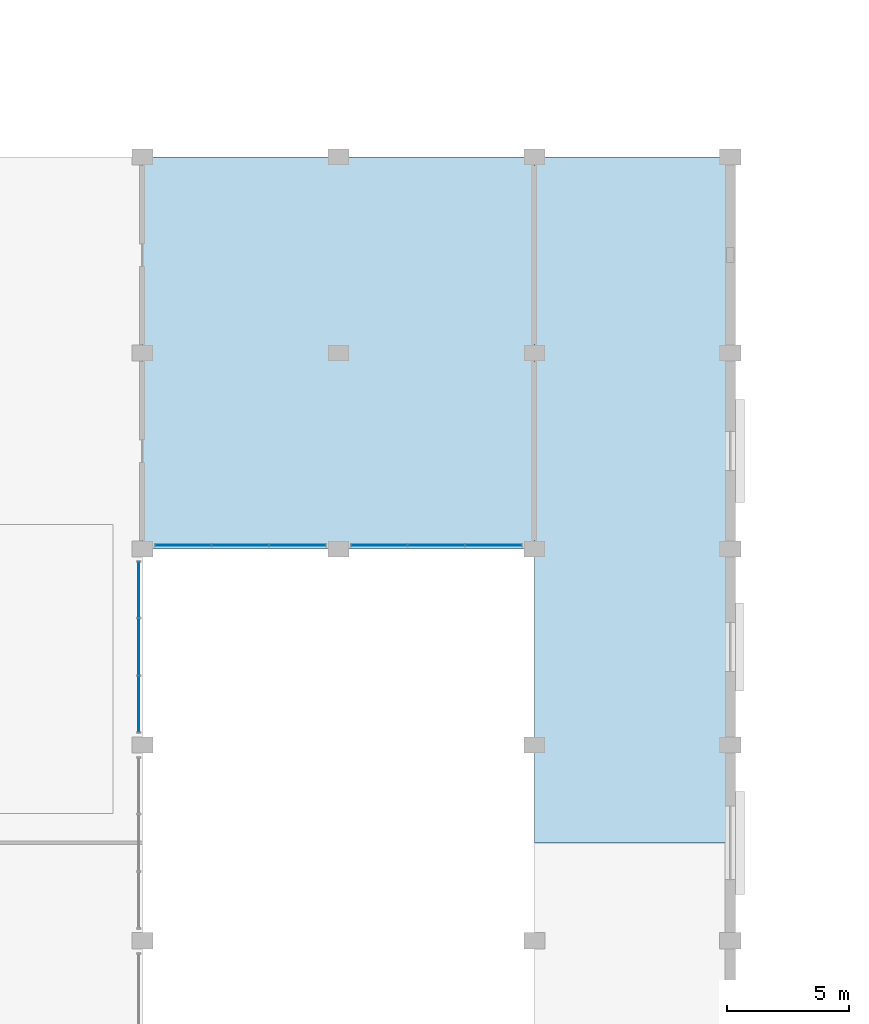
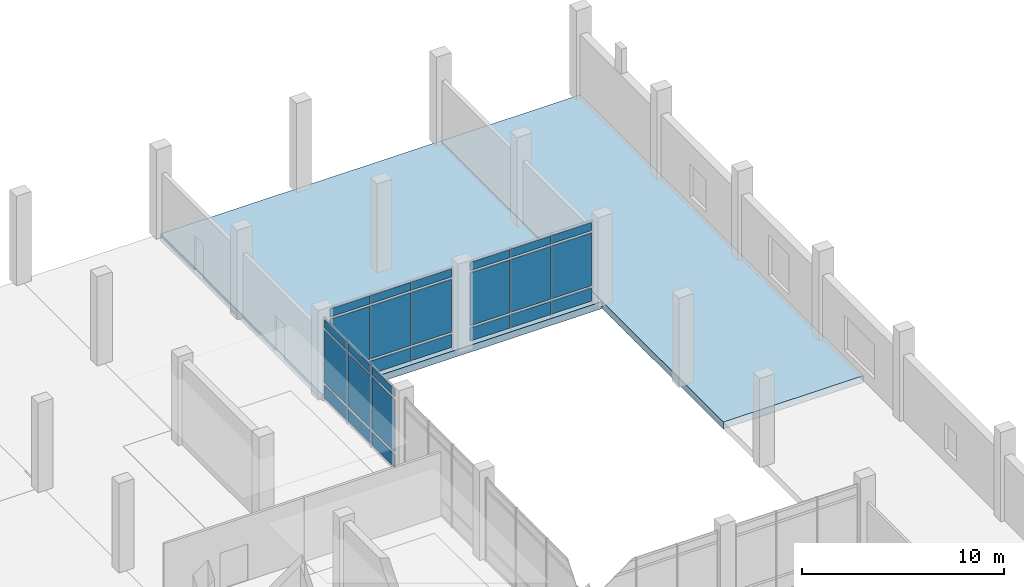
# One storey, part 20 of 42: 27 plates, 2 slabs, 3 elements without a shape of their own.
"""IFC4 building model written with IfcOpenShell, lengths in metres."""

from ifc_helpers import new_model, si_unit, direction, frame, origin, origin_2d, place, context, subcontext, project, spatial, polyline, rectangle, outline, extrude, material, layer, layer_set, type_object, element, aggregate, save


model = new_model("IFC4")

# Units and contexts
model_context = context("Model", 3, precision=1e-05, world=origin(), true_north=direction((0.0, 1.0)))
body_context = subcontext(model_context, "Body", "Model", "MODEL_VIEW")
ifc_project = project(units=[si_unit("LENGTHUNIT", "METRE"), si_unit("AREAUNIT", "SQUARE_METRE"), si_unit("VOLUMEUNIT", "CUBIC_METRE"), si_unit("PLANEANGLEUNIT", "RADIAN"), si_unit("MASSUNIT", "GRAM", prefix="KILO")], contexts=[model_context])

# Site, building, storey
site_placement = place(None, origin())
site = spatial("IfcSite", under=ifc_project, at=site_placement, CompositionType="ELEMENT")
building_placement = place(site_placement, origin())
building = spatial("IfcBuilding", under=site, at=building_placement, Name="Pecanmere Concourse Central Library", CompositionType="ELEMENT")
storey_placement = place(building_placement, origin())
storey = spatial("IfcBuildingStorey", under=building, at=storey_placement, Name="L01", CompositionType="ELEMENT", Elevation=0.0)

# Curtain wall, plates
ifc_material_1 = material(Name="Clear anodized aluminium alloy 6063-T6", Category="aluminium")
curtain_wall_type = type_object("IfcCurtainWallType", Name="CW_CLOISTER_GLAZ", PredefinedType="USERDEFINED", material=ifc_material_1)
curtain_wall_1_placement = place(storey_placement, origin())
curtain_wall_1 = element("IfcCurtainWall", 1, at=curtain_wall_1_placement, inside=storey, type_object=curtain_wall_type, Name="Unitised Curtain Wall CW-04 L01-105", ObjectType="UNITISED CURTAIN WALL", PredefinedType="USERDEFINED")
ifc_material_2 = material(Name="White ceramic-fritted insulated spandrel glazing", Category="glass")
ifc_layer_1 = layer(ifc_material_2, 0.053955078125, Name="CWP_SPN_54")
ifc_layer_set_1 = layer_set([ifc_layer_1], Name="White ceramic-fritted insulated spandrel glazing")
plate_type_1 = type_object("IfcPlateType", Name="CWP_SPN_54", PredefinedType="CURTAIN_PANEL", material=ifc_layer_set_1)
plate_1_placement = place(storey_placement, frame((127.85009765625, 83.668212890625, 0.139892578125), z_axis=(0.0, 0.0, 1.0), x_axis=(0.0, 1.0, 0.0)))
plate_1 = element("IfcPlate", 2, at=plate_1_placement, type_object=plate_type_1, Name="CW-04 Spandrel Panel 1.1", PredefinedType="CURTAIN_PANEL", context=body_context, shape_type="SweptSolid", body=[
    extrude(rectangle(XDim=2.256591796875, YDim=0.035888671875, at=origin_2d()), origin(), (0.0, 0.0, 1.0), 0.7900390625),
])
plate_2_placement = place(storey_placement, frame((127.85009765625, 86.0, 0.139892578125), z_axis=(0.0, 0.0, 1.0), x_axis=(0.0, 1.0, 0.0)))
plate_2 = element("IfcPlate", 3, at=plate_2_placement, type_object=plate_type_1, Name="CW-04 Spandrel Panel 2.1", PredefinedType="CURTAIN_PANEL", context=body_context, shape_type="SweptSolid", body=[
    extrude(rectangle(XDim=2.28662109375, YDim=0.035888671875, at=origin_2d()), origin(), (0.0, 0.0, 1.0), 0.7900390625),
])
plate_3_placement = place(storey_placement, frame((127.85009765625, 88.331787109375, 0.139892578125), z_axis=(0.0, 0.0, 1.0), x_axis=(0.0, 1.0, 0.0)))
plate_3 = element("IfcPlate", 4, at=plate_3_placement, type_object=plate_type_1, Name="CW-04 Spandrel Panel 3.1", PredefinedType="CURTAIN_PANEL", context=body_context, shape_type="SweptSolid", body=[
    extrude(rectangle(XDim=2.256591796875, YDim=0.035888671875, at=origin_2d()), origin(), (0.0, 0.0, 1.0), 0.7900390625),
])

curtain_wall_2_placement = place(storey_placement, origin())
curtain_wall_2 = element("IfcCurtainWall", 5, at=curtain_wall_2_placement, inside=storey, type_object=curtain_wall_type, Name="Unitised Curtain Wall CW-04 L01-108", ObjectType="UNITISED CURTAIN WALL", PredefinedType="USERDEFINED")
plate_4_placement = place(storey_placement, frame((134.331787109375, 90.14990234375, 0.139892578125), z_axis=(0.0, 0.0, 1.0), x_axis=(-1.0, 0.0, 0.0)))
plate_4 = element("IfcPlate", 6, at=plate_4_placement, type_object=plate_type_1, Name="CW-04 Spandrel Panel 1.1", PredefinedType="CURTAIN_PANEL", context=body_context, shape_type="SweptSolid", body=[
    extrude(rectangle(XDim=2.256591796875, YDim=0.035888671875, at=origin_2d()), origin(), (0.0, 0.0, 1.0), 0.7900390625),
])
plate_5_placement = place(storey_placement, frame((132.0, 90.14990234375, 0.139892578125), z_axis=(0.0, 0.0, 1.0), x_axis=(-1.0, 0.0, 0.0)))
plate_5 = element("IfcPlate", 7, at=plate_5_placement, type_object=plate_type_1, Name="CW-04 Spandrel Panel 2.1", PredefinedType="CURTAIN_PANEL", context=body_context, shape_type="SweptSolid", body=[
    extrude(rectangle(XDim=2.28662109375, YDim=0.035888671875, at=origin_2d()), origin(), (0.0, 0.0, 1.0), 0.7900390625),
])
plate_6_placement = place(storey_placement, frame((129.668212890625, 90.14990234375, 0.139892578125), z_axis=(0.0, 0.0, 1.0), x_axis=(-1.0, 0.0, 0.0)))
plate_6 = element("IfcPlate", 8, at=plate_6_placement, type_object=plate_type_1, Name="CW-04 Spandrel Panel 3.1", PredefinedType="CURTAIN_PANEL", context=body_context, shape_type="SweptSolid", body=[
    extrude(rectangle(XDim=2.256591796875, YDim=0.035888671875, at=origin_2d()), origin(), (0.0, 0.0, 1.0), 0.7900390625),
])

curtain_wall_3_placement = place(storey_placement, origin())
curtain_wall_3 = element("IfcCurtainWall", 9, at=curtain_wall_3_placement, inside=storey, type_object=curtain_wall_type, Name="Unitised Curtain Wall CW-04 L01-110", ObjectType="UNITISED CURTAIN WALL", PredefinedType="USERDEFINED")
plate_7_placement = place(storey_placement, frame((142.331787109375, 90.14990234375, 0.139892578125), z_axis=(0.0, 0.0, 1.0), x_axis=(-1.0, 0.0, 0.0)))
plate_7 = element("IfcPlate", 10, at=plate_7_placement, type_object=plate_type_1, Name="CW-04 Spandrel Panel 1.1", PredefinedType="CURTAIN_PANEL", context=body_context, shape_type="SweptSolid", body=[
    extrude(rectangle(XDim=2.256591796875, YDim=0.035888671875, at=origin_2d()), origin(), (0.0, 0.0, 1.0), 0.7900390625),
])
plate_8_placement = place(storey_placement, frame((140.0, 90.14990234375, 0.139892578125), z_axis=(0.0, 0.0, 1.0), x_axis=(-1.0, 0.0, 0.0)))
plate_8 = element("IfcPlate", 11, at=plate_8_placement, type_object=plate_type_1, Name="CW-04 Spandrel Panel 2.1", PredefinedType="CURTAIN_PANEL", context=body_context, shape_type="SweptSolid", body=[
    extrude(rectangle(XDim=2.28662109375, YDim=0.035888671875, at=origin_2d()), origin(), (0.0, 0.0, 1.0), 0.7900390625),
])
plate_9_placement = place(storey_placement, frame((137.668212890625, 90.14990234375, 0.139892578125), z_axis=(0.0, 0.0, 1.0), x_axis=(-1.0, 0.0, 0.0)))
plate_9 = element("IfcPlate", 12, at=plate_9_placement, type_object=plate_type_1, Name="CW-04 Spandrel Panel 3.1", PredefinedType="CURTAIN_PANEL", context=body_context, shape_type="SweptSolid", body=[
    extrude(rectangle(XDim=2.256591796875, YDim=0.035888671875, at=origin_2d()), origin(), (0.0, 0.0, 1.0), 0.7900390625),
])

# Plate
ifc_material_3 = material(Name="Low-iron clear insulated glazing", Category="glass")
ifc_layer_2 = layer(ifc_material_3, 0.035888671875, Name="CWP_VIS_36")
ifc_layer_set_2 = layer_set([ifc_layer_2], Name="Low-iron clear insulated glazing")
plate_type_2 = type_object("IfcPlateType", Name="CWP_VIS_36", PredefinedType="CURTAIN_PANEL", material=ifc_layer_set_2)
plate_10_placement = place(storey_placement, frame((127.85009765625, 83.668212890625, 1.070068359375), z_axis=(0.0, 0.0, 1.0), x_axis=(0.0, 1.0, 0.0)))
plate_10 = element("IfcPlate", 13, at=plate_10_placement, type_object=plate_type_2, Name="CW-04 Vision Panel 1.2", PredefinedType="CURTAIN_PANEL", context=body_context, shape_type="SweptSolid", body=[
    extrude(rectangle(XDim=2.256591796875, YDim=0.035888671875, at=origin_2d()), origin(), (0.0, 0.0, 1.0), 3.18994140625),
])

plate_11_placement = place(storey_placement, frame((127.85009765625, 83.668212890625, 4.39990234375), z_axis=(0.0, 0.0, 1.0), x_axis=(0.0, 1.0, 0.0)))
plate_11 = element("IfcPlate", 14, at=plate_11_placement, type_object=plate_type_2, Name="CW-04 Vision Panel 1.3", PredefinedType="CURTAIN_PANEL", context=body_context, shape_type="SweptSolid", body=[
    extrude(rectangle(XDim=2.256591796875, YDim=0.035888671875, at=origin_2d()), origin(), (0.0, 0.0, 1.0), 0.489990234375),
])

plate_12_placement = place(storey_placement, frame((127.85009765625, 86.0, 1.070068359375), z_axis=(0.0, 0.0, 1.0), x_axis=(0.0, 1.0, 0.0)))
plate_12 = element("IfcPlate", 15, at=plate_12_placement, type_object=plate_type_2, Name="CW-04 Vision Panel 2.2", PredefinedType="CURTAIN_PANEL", context=body_context, shape_type="SweptSolid", body=[
    extrude(rectangle(XDim=2.28662109375, YDim=0.035888671875, at=origin_2d()), origin(), (0.0, 0.0, 1.0), 3.18994140625),
])

plate_13_placement = place(storey_placement, frame((127.85009765625, 86.0, 4.39990234375), z_axis=(0.0, 0.0, 1.0), x_axis=(0.0, 1.0, 0.0)))
plate_13 = element("IfcPlate", 16, at=plate_13_placement, type_object=plate_type_2, Name="CW-04 Vision Panel 2.3", PredefinedType="CURTAIN_PANEL", context=body_context, shape_type="SweptSolid", body=[
    extrude(rectangle(XDim=2.28662109375, YDim=0.035888671875, at=origin_2d()), origin(), (0.0, 0.0, 1.0), 0.489990234375),
])

plate_14_placement = place(storey_placement, frame((127.85009765625, 88.331787109375, 1.070068359375), z_axis=(0.0, 0.0, 1.0), x_axis=(0.0, 1.0, 0.0)))
plate_14 = element("IfcPlate", 17, at=plate_14_placement, type_object=plate_type_2, Name="CW-04 Vision Panel 3.2", PredefinedType="CURTAIN_PANEL", context=body_context, shape_type="SweptSolid", body=[
    extrude(rectangle(XDim=2.256591796875, YDim=0.035888671875, at=origin_2d()), origin(), (0.0, 0.0, 1.0), 3.18994140625),
])

plate_15_placement = place(storey_placement, frame((127.85009765625, 88.331787109375, 4.39990234375), z_axis=(0.0, 0.0, 1.0), x_axis=(0.0, 1.0, 0.0)))
plate_15 = element("IfcPlate", 18, at=plate_15_placement, type_object=plate_type_2, Name="CW-04 Vision Panel 3.3", PredefinedType="CURTAIN_PANEL", context=body_context, shape_type="SweptSolid", body=[
    extrude(rectangle(XDim=2.256591796875, YDim=0.035888671875, at=origin_2d()), origin(), (0.0, 0.0, 1.0), 0.489990234375),
])

aggregate(curtain_wall_1, [plate_1, plate_10, plate_11, plate_2, plate_12, plate_13, plate_3, plate_14, plate_15])

plate_16_placement = place(storey_placement, frame((134.331787109375, 90.14990234375, 1.070068359375), z_axis=(0.0, 0.0, 1.0), x_axis=(-1.0, 0.0, 0.0)))
plate_16 = element("IfcPlate", 19, at=plate_16_placement, type_object=plate_type_2, Name="CW-04 Vision Panel 1.2", PredefinedType="CURTAIN_PANEL", context=body_context, shape_type="SweptSolid", body=[
    extrude(rectangle(XDim=2.256591796875, YDim=0.035888671875, at=origin_2d()), origin(), (0.0, 0.0, 1.0), 3.18994140625),
])

plate_17_placement = place(storey_placement, frame((134.331787109375, 90.14990234375, 4.39990234375), z_axis=(0.0, 0.0, 1.0), x_axis=(-1.0, 0.0, 0.0)))
plate_17 = element("IfcPlate", 20, at=plate_17_placement, type_object=plate_type_2, Name="CW-04 Vision Panel 1.3", PredefinedType="CURTAIN_PANEL", context=body_context, shape_type="SweptSolid", body=[
    extrude(rectangle(XDim=2.256591796875, YDim=0.035888671875, at=origin_2d()), origin(), (0.0, 0.0, 1.0), 0.489990234375),
])

plate_18_placement = place(storey_placement, frame((132.0, 90.14990234375, 1.070068359375), z_axis=(0.0, 0.0, 1.0), x_axis=(-1.0, 0.0, 0.0)))
plate_18 = element("IfcPlate", 21, at=plate_18_placement, type_object=plate_type_2, Name="CW-04 Vision Panel 2.2", PredefinedType="CURTAIN_PANEL", context=body_context, shape_type="SweptSolid", body=[
    extrude(rectangle(XDim=2.28662109375, YDim=0.035888671875, at=origin_2d()), origin(), (0.0, 0.0, 1.0), 3.18994140625),
])

plate_19_placement = place(storey_placement, frame((132.0, 90.14990234375, 4.39990234375), z_axis=(0.0, 0.0, 1.0), x_axis=(-1.0, 0.0, 0.0)))
plate_19 = element("IfcPlate", 22, at=plate_19_placement, type_object=plate_type_2, Name="CW-04 Vision Panel 2.3", PredefinedType="CURTAIN_PANEL", context=body_context, shape_type="SweptSolid", body=[
    extrude(rectangle(XDim=2.28662109375, YDim=0.035888671875, at=origin_2d()), origin(), (0.0, 0.0, 1.0), 0.489990234375),
])

plate_20_placement = place(storey_placement, frame((129.668212890625, 90.14990234375, 1.070068359375), z_axis=(0.0, 0.0, 1.0), x_axis=(-1.0, 0.0, 0.0)))
plate_20 = element("IfcPlate", 23, at=plate_20_placement, type_object=plate_type_2, Name="CW-04 Vision Panel 3.2", PredefinedType="CURTAIN_PANEL", context=body_context, shape_type="SweptSolid", body=[
    extrude(rectangle(XDim=2.256591796875, YDim=0.035888671875, at=origin_2d()), origin(), (0.0, 0.0, 1.0), 3.18994140625),
])

plate_21_placement = place(storey_placement, frame((129.668212890625, 90.14990234375, 4.39990234375), z_axis=(0.0, 0.0, 1.0), x_axis=(-1.0, 0.0, 0.0)))
plate_21 = element("IfcPlate", 24, at=plate_21_placement, type_object=plate_type_2, Name="CW-04 Vision Panel 3.3", PredefinedType="CURTAIN_PANEL", context=body_context, shape_type="SweptSolid", body=[
    extrude(rectangle(XDim=2.256591796875, YDim=0.035888671875, at=origin_2d()), origin(), (0.0, 0.0, 1.0), 0.489990234375),
])

aggregate(curtain_wall_2, [plate_4, plate_16, plate_17, plate_5, plate_18, plate_19, plate_6, plate_20, plate_21])

plate_22_placement = place(storey_placement, frame((142.331787109375, 90.14990234375, 1.070068359375), z_axis=(0.0, 0.0, 1.0), x_axis=(-1.0, 0.0, 0.0)))
plate_22 = element("IfcPlate", 25, at=plate_22_placement, type_object=plate_type_2, Name="CW-04 Vision Panel 1.2", PredefinedType="CURTAIN_PANEL", context=body_context, shape_type="SweptSolid", body=[
    extrude(rectangle(XDim=2.256591796875, YDim=0.035888671875, at=origin_2d()), origin(), (0.0, 0.0, 1.0), 3.18994140625),
])

plate_23_placement = place(storey_placement, frame((142.331787109375, 90.14990234375, 4.39990234375), z_axis=(0.0, 0.0, 1.0), x_axis=(-1.0, 0.0, 0.0)))
plate_23 = element("IfcPlate", 26, at=plate_23_placement, type_object=plate_type_2, Name="CW-04 Vision Panel 1.3", PredefinedType="CURTAIN_PANEL", context=body_context, shape_type="SweptSolid", body=[
    extrude(rectangle(XDim=2.256591796875, YDim=0.035888671875, at=origin_2d()), origin(), (0.0, 0.0, 1.0), 0.489990234375),
])

plate_24_placement = place(storey_placement, frame((140.0, 90.14990234375, 1.070068359375), z_axis=(0.0, 0.0, 1.0), x_axis=(-1.0, 0.0, 0.0)))
plate_24 = element("IfcPlate", 27, at=plate_24_placement, type_object=plate_type_2, Name="CW-04 Vision Panel 2.2", PredefinedType="CURTAIN_PANEL", context=body_context, shape_type="SweptSolid", body=[
    extrude(rectangle(XDim=2.28662109375, YDim=0.035888671875, at=origin_2d()), origin(), (0.0, 0.0, 1.0), 3.18994140625),
])

plate_25_placement = place(storey_placement, frame((140.0, 90.14990234375, 4.39990234375), z_axis=(0.0, 0.0, 1.0), x_axis=(-1.0, 0.0, 0.0)))
plate_25 = element("IfcPlate", 28, at=plate_25_placement, type_object=plate_type_2, Name="CW-04 Vision Panel 2.3", PredefinedType="CURTAIN_PANEL", context=body_context, shape_type="SweptSolid", body=[
    extrude(rectangle(XDim=2.28662109375, YDim=0.035888671875, at=origin_2d()), origin(), (0.0, 0.0, 1.0), 0.489990234375),
])

plate_26_placement = place(storey_placement, frame((137.668212890625, 90.14990234375, 1.070068359375), z_axis=(0.0, 0.0, 1.0), x_axis=(-1.0, 0.0, 0.0)))
plate_26 = element("IfcPlate", 29, at=plate_26_placement, type_object=plate_type_2, Name="CW-04 Vision Panel 3.2", PredefinedType="CURTAIN_PANEL", context=body_context, shape_type="SweptSolid", body=[
    extrude(rectangle(XDim=2.256591796875, YDim=0.035888671875, at=origin_2d()), origin(), (0.0, 0.0, 1.0), 3.18994140625),
])

plate_27_placement = place(storey_placement, frame((137.668212890625, 90.14990234375, 4.39990234375), z_axis=(0.0, 0.0, 1.0), x_axis=(-1.0, 0.0, 0.0)))
plate_27 = element("IfcPlate", 30, at=plate_27_placement, type_object=plate_type_2, Name="CW-04 Vision Panel 3.3", PredefinedType="CURTAIN_PANEL", context=body_context, shape_type="SweptSolid", body=[
    extrude(rectangle(XDim=2.256591796875, YDim=0.035888671875, at=origin_2d()), origin(), (0.0, 0.0, 1.0), 0.489990234375),
])

aggregate(curtain_wall_3, [plate_7, plate_22, plate_23, plate_8, plate_24, plate_25, plate_9, plate_26, plate_27])

# Slabs
ifc_material_4 = material(Name="Concrete C35/45", Category="concrete")
ifc_layer_3 = layer(ifc_material_4, 0.419921875, Name="SLAB_GRADE_420")
ifc_layer_set_3 = layer_set([ifc_layer_3], Name="Concrete C35/45")
slab_type = type_object("IfcSlabType", Name="SLAB_GRADE_420", PredefinedType="FLOOR", material=ifc_layer_set_3)
slab_1_placement = place(storey_placement, frame((0.0, 0.0, -0.419921875)))
element("IfcSlab", 31, at=slab_1_placement, inside=storey, type_object=slab_type, Name="Floor Slab V2 L01-041", PredefinedType="FLOOR", context=body_context, shape_type="SweptSolid", body=[
    extrude(outline(polyline([(144.0, 106.0), (144.0, 91.60009765625), (143.919921875, 91.60009765625), (143.919921875, 91.0), (144.0, 91.0), (144.0, 90.0), (128.0, 90.0), (128.0, 106.0), (144.0, 106.0)])), origin(), (0.0, 0.0, 1.0), 0.419921875),
])
slab_2_placement = place(storey_placement, frame((0.0, 0.0, -0.419921875)))
element("IfcSlab", 32, at=slab_2_placement, inside=storey, type_object=slab_type, Name="Floor Slab V2 L01-043", PredefinedType="FLOOR", context=body_context, shape_type="SweptSolid", body=[
    extrude(outline(polyline([(144.0, 78.0), (144.0, 90.0), (144.0, 106.0), (152.0, 106.0), (152.0, 78.0), (144.0, 78.0)])), origin(), (0.0, 0.0, 1.0), 0.419921875),
])

save(model, "model.ifc")
